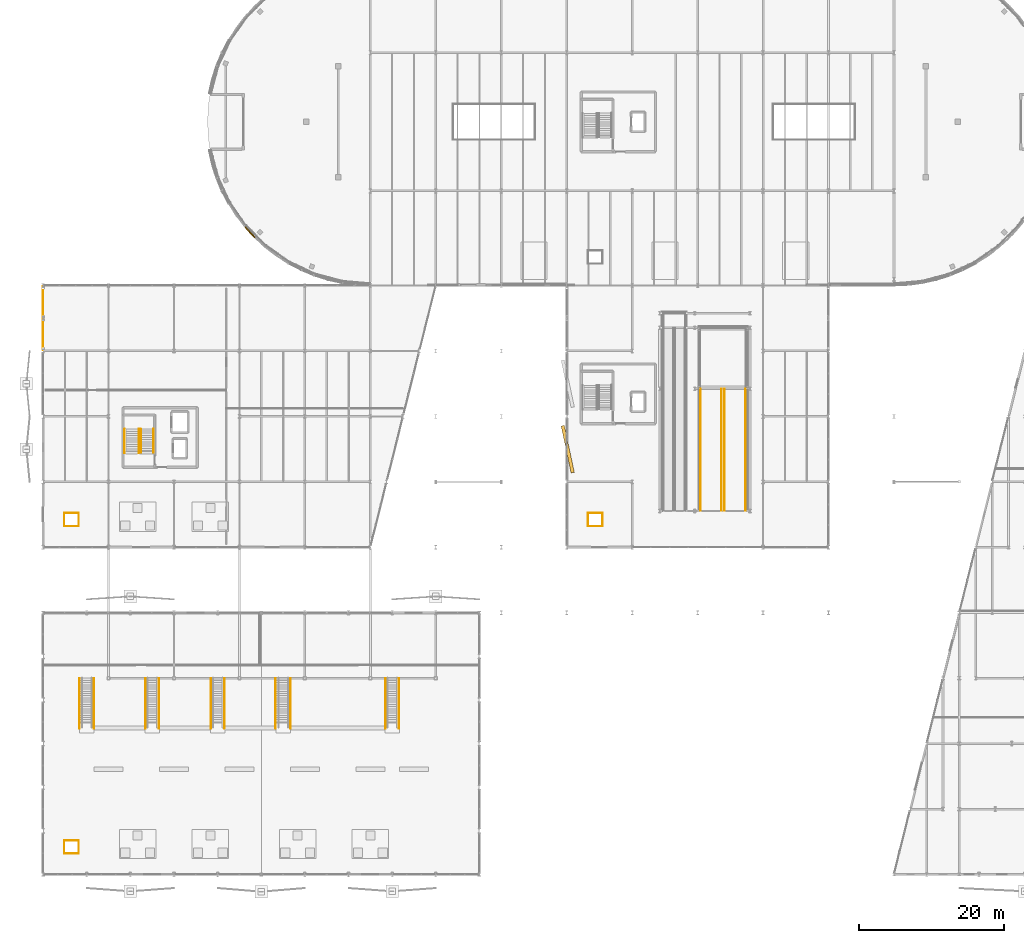
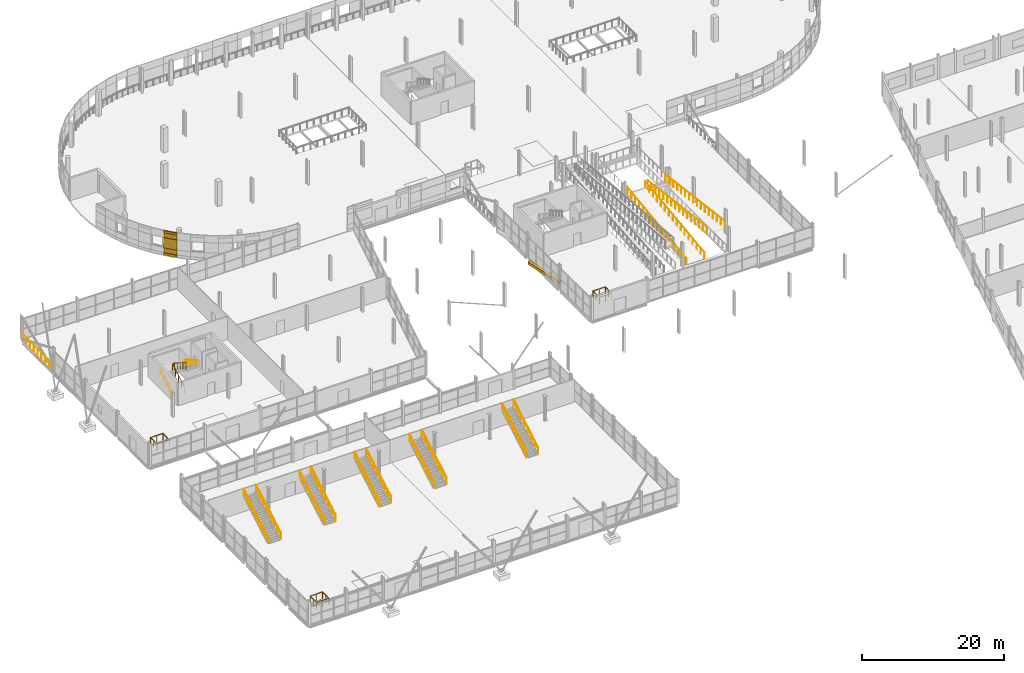
# One storey, part 127 of 140: 34 railings, 5 coverings, 1 shading device.
"""IFC4 building model written with IfcOpenShell, lengths in metres."""

from ifc_helpers import new_model, si_unit, direction, frame, origin, origin_2d, place, context, subcontext, project, spatial, rectangle, circle, extrude, material, layer, layer_set, type_object, element, save


model = new_model("IFC4")

# Units and contexts
model_context = context("Model", 3, precision=1e-05, world=origin(), true_north=direction((0.0, 1.0)))
body_context = subcontext(model_context, "Body", "Model", "MODEL_VIEW")
ifc_project = project(units=[si_unit("LENGTHUNIT", "METRE"), si_unit("AREAUNIT", "SQUARE_METRE"), si_unit("VOLUMEUNIT", "CUBIC_METRE"), si_unit("PLANEANGLEUNIT", "RADIAN"), si_unit("MASSUNIT", "GRAM", prefix="KILO")], contexts=[model_context])

# Site, building, storey
site_placement = place(None, origin())
site = spatial("IfcSite", under=ifc_project, at=site_placement, CompositionType="ELEMENT")
building_placement = place(site_placement, origin())
building = spatial("IfcBuilding", under=site, at=building_placement, Name="Deido Ridge Mobility Hub", CompositionType="ELEMENT")
storey_placement = place(building_placement, origin())
storey = spatial("IfcBuildingStorey", under=building, at=storey_placement, Name="L00", CompositionType="ELEMENT", Elevation=0.0)

# Coverings
ifc_material_1 = material(Name="Fired clay brick masonry", Category="masonry")
ifc_layer_1 = layer(ifc_material_1, 0.114990234375, Name="Fired clay brick masonry")
ifc_layer_set_1 = layer_set([ifc_layer_1], Name="Fired clay brick masonry")
covering_type = type_object("IfcCoveringType", Name="COV-BRK-SCREEN-115", PredefinedType="CLADDING", material=ifc_layer_set_1)
covering_1_placement = place(storey_placement, frame((28.4658203125, 88.34912109375, 0.0), z_axis=(0.0, 0.0, 1.0), x_axis=(0.675577339596, -0.737289127971, 0.0)))
element("IfcCovering", 1, at=covering_1_placement, inside=storey, type_object=covering_type, Name="Open brickwork spandrel course BKS1 (L00)", PredefinedType="CLADDING", context=body_context, shape_type="SweptSolid", body=[
    extrude(rectangle(XDim=1.9619140625, YDim=0.125, at=origin_2d()), origin(), (0.0, 0.0, 1.0), 1.25),
])
covering_2_placement = place(storey_placement, frame((28.4453125, 88.33056640625, 0.0), z_axis=(0.0, 0.0, 1.0), x_axis=(0.675577339596, -0.737289127971, 0.0)))
element("IfcCovering", 2, at=covering_2_placement, inside=storey, type_object=covering_type, Name="Raised brick relief belt BKS1 (L00)", PredefinedType="CLADDING", context=body_context, shape_type="SweptSolid", body=[
    extrude(rectangle(XDim=1.9619140625, YDim=0.179931640625, at=origin_2d()), origin(), (0.0, 0.0, 1.0), 0.39990234375),
])
covering_3_placement = place(storey_placement, frame((28.4658203125, 88.34912109375, 3.0), z_axis=(0.0, 0.0, 1.0), x_axis=(0.675577339596, -0.737289127971, 0.0)))
element("IfcCovering", 3, at=covering_3_placement, inside=storey, type_object=covering_type, Name="Open brickwork lintel course BKS1 (L00)", PredefinedType="CLADDING", context=body_context, shape_type="SweptSolid", body=[
    extrude(rectangle(XDim=1.9619140625, YDim=0.125, at=origin_2d()), origin(), (0.0, 0.0, 1.0), 1.199951171875),
])
covering_4_placement = place(storey_placement, frame((28.4453125, 88.33056640625, 3.83984375), z_axis=(0.0, 0.0, 1.0), x_axis=(0.675577339596, -0.737289127971, 0.0)))
element("IfcCovering", 4, at=covering_4_placement, inside=storey, type_object=covering_type, Name="Raised brick relief cornice BKS1 (L00)", PredefinedType="CLADDING", context=body_context, shape_type="SweptSolid", body=[
    extrude(rectangle(XDim=1.9619140625, YDim=0.179931640625, at=origin_2d()), origin(), (0.0, 0.0, 1.0), 0.360107421875),
])
covering_5_placement = place(storey_placement, frame((28.4453125, 88.33056640625, 1.25), z_axis=(0.0, 0.0, 1.0), x_axis=(0.675577339596, -0.737289127971, 0.0)))
element("IfcCovering", 5, at=covering_5_placement, inside=storey, type_object=covering_type, Name="Curved raised brickwork pier BKS1 (L00)", PredefinedType="CLADDING", context=body_context, shape_type="SweptSolid", body=[
    extrude(rectangle(XDim=1.9619140625, YDim=0.179931640625, at=origin_2d()), origin(), (0.0, 0.0, 1.0), 1.75),
])

# Railings
ifc_material_2 = material(Name="Galvanised steel work", Category="steel")
railing_type_1 = type_object("IfcRailingType", Name="RL-GRD-EXT-1150", PredefinedType="GUARDRAIL", material=ifc_material_2)
railing_1_placement = place(storey_placement, frame((0.0, 72.14990234375, 0.0)))
element("IfcRailing", 6, at=railing_1_placement, inside=storey, type_object=railing_type_1, Name="Braced bay perimeter guard (L00)", PredefinedType="GUARDRAIL", context=body_context, shape_type="SweptSolid", body=[
    extrude(circle(Radius=0.02392578125, at=origin_2d()), frame((0.0, 0.0, 1.1259765625), z_axis=(0.0, 1.0, 0.0), x_axis=(-1.0, 0.0, 0.0)), (0.0, 0.0, 1.0), 8.7001953125),
    extrude(circle(Radius=0.02099609375, at=origin_2d()), origin(), (0.0, 0.0, 1.0), 1.101806640625),
    extrude(circle(Radius=0.02099609375, at=origin_2d()), frame((0.0, 1.08740234375, 0.0)), (0.0, 0.0, 1.0), 1.101806640625),
    extrude(circle(Radius=0.02099609375, at=origin_2d()), frame((0.0, 2.175048828125, 0.0)), (0.0, 0.0, 1.0), 1.101806640625),
    extrude(circle(Radius=0.02099609375, at=origin_2d()), frame((0.0, 3.2626953125, 0.0)), (0.0, 0.0, 1.0), 1.101806640625),
    extrude(circle(Radius=0.02099609375, at=origin_2d()), frame((0.0, 4.35009765625, 0.0)), (0.0, 0.0, 1.0), 1.101806640625),
    extrude(circle(Radius=0.02099609375, at=origin_2d()), frame((0.0, 5.4375, 0.0)), (0.0, 0.0, 1.0), 1.101806640625),
    extrude(circle(Radius=0.02099609375, at=origin_2d()), frame((0.0, 6.525146484375, 0.0)), (0.0, 0.0, 1.0), 1.101806640625),
    extrude(circle(Radius=0.02099609375, at=origin_2d()), frame((0.0, 7.61279296875, 0.0)), (0.0, 0.0, 1.0), 1.101806640625),
    extrude(circle(Radius=0.02099609375, at=origin_2d()), frame((0.0, 8.7001953125, 0.0)), (0.0, 0.0, 1.0), 1.101806640625),
])
railing_2_placement = place(storey_placement, frame((90.39990234375, 50.050048828125, 0.0)))
element("IfcRailing", 7, at=railing_2_placement, inside=storey, type_object=railing_type_1, Name="Vehicle ramp F1 guard (L00)", PredefinedType="GUARDRAIL", context=body_context, shape_type="SweptSolid", body=[
    extrude(circle(Radius=0.02392578125, at=origin_2d()), frame((0.0, 0.0, 1.1259765625), z_axis=(0.0, 0.992231528187, 0.1244049616), x_axis=(-1.0, 0.0, 0.0)), (0.0, 0.0, 1.0), 16.881103515625),
    extrude(circle(Radius=0.02099609375, at=origin_2d()), origin(), (0.0, 0.0, 1.0), 1.101806640625),
    extrude(circle(Radius=0.02099609375, at=origin_2d()), frame((0.0, 1.11669921875, 0.139892578125)), (0.0, 0.0, 1.0), 1.101806640625),
    extrude(circle(Radius=0.02099609375, at=origin_2d()), frame((0.0, 2.2333984375, 0.280029296875)), (0.0, 0.0, 1.0), 1.101806640625),
    extrude(circle(Radius=0.02099609375, at=origin_2d()), frame((0.0, 3.35009765625, 0.419921875)), (0.0, 0.0, 1.0), 1.101806640625),
    extrude(circle(Radius=0.02099609375, at=origin_2d()), frame((0.0, 4.466552734375, 0.56005859375)), (0.0, 0.0, 1.0), 1.101806640625),
    extrude(circle(Radius=0.02099609375, at=origin_2d()), frame((0.0, 5.583251953125, 0.699951171875)), (0.0, 0.0, 1.0), 1.101806640625),
    extrude(circle(Radius=0.02099609375, at=origin_2d()), frame((0.0, 6.699951171875, 0.840087890625)), (0.0, 0.0, 1.0), 1.101806640625),
    extrude(circle(Radius=0.02099609375, at=origin_2d()), frame((0.0, 7.816650390625, 0.97998046875)), (0.0, 0.0, 1.0), 1.101806640625),
    extrude(circle(Radius=0.02099609375, at=origin_2d()), frame((0.0, 8.933349609375, 1.1201171875)), (0.0, 0.0, 1.0), 1.101806640625),
    extrude(circle(Radius=0.02099609375, at=origin_2d()), frame((0.0, 10.050048828125, 1.260009765625)), (0.0, 0.0, 1.0), 1.101806640625),
    extrude(circle(Radius=0.02099609375, at=origin_2d()), frame((0.0, 11.166748046875, 1.400146484375)), (0.0, 0.0, 1.0), 1.101806640625),
    extrude(circle(Radius=0.02099609375, at=origin_2d()), frame((0.0, 12.283447265625, 1.5400390625)), (0.0, 0.0, 1.0), 1.101806640625),
    extrude(circle(Radius=0.02099609375, at=origin_2d()), frame((0.0, 13.39990234375, 1.68017578125)), (0.0, 0.0, 1.0), 1.101806640625),
    extrude(circle(Radius=0.02099609375, at=origin_2d()), frame((0.0, 14.5166015625, 1.820068359375)), (0.0, 0.0, 1.0), 1.101806640625),
    extrude(circle(Radius=0.02099609375, at=origin_2d()), frame((0.0, 15.63330078125, 1.960205078125)), (0.0, 0.0, 1.0), 1.101806640625),
    extrude(circle(Radius=0.02099609375, at=origin_2d()), frame((0.0, 16.75, 2.10009765625)), (0.0, 0.0, 1.0), 1.101806640625),
])
railing_3_placement = place(storey_placement, frame((93.300048828125, 50.050048828125, 0.0)))
element("IfcRailing", 8, at=railing_3_placement, inside=storey, type_object=railing_type_1, Name="Vehicle ramp F1 guard (L00)", PredefinedType="GUARDRAIL", context=body_context, shape_type="SweptSolid", body=[
    extrude(circle(Radius=0.02392578125, at=origin_2d()), frame((0.0, 0.0, 1.1259765625), z_axis=(0.0, 0.992231528187, 0.1244049616), x_axis=(-1.0, 0.0, 0.0)), (0.0, 0.0, 1.0), 16.881103515625),
    extrude(circle(Radius=0.02099609375, at=origin_2d()), origin(), (0.0, 0.0, 1.0), 1.101806640625),
    extrude(circle(Radius=0.02099609375, at=origin_2d()), frame((0.0, 1.11669921875, 0.139892578125)), (0.0, 0.0, 1.0), 1.101806640625),
    extrude(circle(Radius=0.02099609375, at=origin_2d()), frame((0.0, 2.2333984375, 0.280029296875)), (0.0, 0.0, 1.0), 1.101806640625),
    extrude(circle(Radius=0.02099609375, at=origin_2d()), frame((0.0, 3.35009765625, 0.419921875)), (0.0, 0.0, 1.0), 1.101806640625),
    extrude(circle(Radius=0.02099609375, at=origin_2d()), frame((0.0, 4.466552734375, 0.56005859375)), (0.0, 0.0, 1.0), 1.101806640625),
    extrude(circle(Radius=0.02099609375, at=origin_2d()), frame((0.0, 5.583251953125, 0.699951171875)), (0.0, 0.0, 1.0), 1.101806640625),
    extrude(circle(Radius=0.02099609375, at=origin_2d()), frame((0.0, 6.699951171875, 0.840087890625)), (0.0, 0.0, 1.0), 1.101806640625),
    extrude(circle(Radius=0.02099609375, at=origin_2d()), frame((0.0, 7.816650390625, 0.97998046875)), (0.0, 0.0, 1.0), 1.101806640625),
    extrude(circle(Radius=0.02099609375, at=origin_2d()), frame((0.0, 8.933349609375, 1.1201171875)), (0.0, 0.0, 1.0), 1.101806640625),
    extrude(circle(Radius=0.02099609375, at=origin_2d()), frame((0.0, 10.050048828125, 1.260009765625)), (0.0, 0.0, 1.0), 1.101806640625),
    extrude(circle(Radius=0.02099609375, at=origin_2d()), frame((0.0, 11.166748046875, 1.400146484375)), (0.0, 0.0, 1.0), 1.101806640625),
    extrude(circle(Radius=0.02099609375, at=origin_2d()), frame((0.0, 12.283447265625, 1.5400390625)), (0.0, 0.0, 1.0), 1.101806640625),
    extrude(circle(Radius=0.02099609375, at=origin_2d()), frame((0.0, 13.39990234375, 1.68017578125)), (0.0, 0.0, 1.0), 1.101806640625),
    extrude(circle(Radius=0.02099609375, at=origin_2d()), frame((0.0, 14.5166015625, 1.820068359375)), (0.0, 0.0, 1.0), 1.101806640625),
    extrude(circle(Radius=0.02099609375, at=origin_2d()), frame((0.0, 15.63330078125, 1.960205078125)), (0.0, 0.0, 1.0), 1.101806640625),
    extrude(circle(Radius=0.02099609375, at=origin_2d()), frame((0.0, 16.75, 2.10009765625)), (0.0, 0.0, 1.0), 1.101806640625),
])
railing_4_placement = place(storey_placement, frame((93.699951171875, 66.800048828125, 2.10009765625)))
element("IfcRailing", 9, at=railing_4_placement, inside=storey, type_object=railing_type_1, Name="Vehicle ramp F2 guard (L00)", PredefinedType="GUARDRAIL", context=body_context, shape_type="SweptSolid", body=[
    extrude(circle(Radius=0.02392578125, at=origin_2d()), frame((0.0, 0.0, 1.1259765625), z_axis=(0.0, -0.992233313297, 0.12439072306), x_axis=(1.0, 0.0, 0.0)), (0.0, 0.0, 1.0), 16.881103515625),
    extrude(circle(Radius=0.02099609375, at=origin_2d()), origin(), (0.0, 0.0, 1.0), 1.101806640625),
    extrude(circle(Radius=0.02099609375, at=origin_2d()), frame((0.0, -1.11669921875, 0.139892578125)), (0.0, 0.0, 1.0), 1.101806640625),
    extrude(circle(Radius=0.02099609375, at=origin_2d()), frame((0.0, -2.2333984375, 0.280029296875)), (0.0, 0.0, 1.0), 1.101806640625),
    extrude(circle(Radius=0.02099609375, at=origin_2d()), frame((0.0, -3.35009765625, 0.419921875)), (0.0, 0.0, 1.0), 1.101806640625),
    extrude(circle(Radius=0.02099609375, at=origin_2d()), frame((0.0, -4.466552734375, 0.56005859375)), (0.0, 0.0, 1.0), 1.101806640625),
    extrude(circle(Radius=0.02099609375, at=origin_2d()), frame((0.0, -5.583251953125, 0.699951171875)), (0.0, 0.0, 1.0), 1.101806640625),
    extrude(circle(Radius=0.02099609375, at=origin_2d()), frame((0.0, -6.699951171875, 0.83984375)), (0.0, 0.0, 1.0), 1.101806640625),
    extrude(circle(Radius=0.02099609375, at=origin_2d()), frame((0.0, -7.816650390625, 0.97998046875)), (0.0, 0.0, 1.0), 1.101806640625),
    extrude(circle(Radius=0.02099609375, at=origin_2d()), frame((0.0, -8.933349609375, 1.119873046875)), (0.0, 0.0, 1.0), 1.101806640625),
    extrude(circle(Radius=0.02099609375, at=origin_2d()), frame((0.0, -10.050048828125, 1.260009765625)), (0.0, 0.0, 1.0), 1.101806640625),
    extrude(circle(Radius=0.02099609375, at=origin_2d()), frame((0.0, -11.166748046875, 1.39990234375)), (0.0, 0.0, 1.0), 1.101806640625),
    extrude(circle(Radius=0.02099609375, at=origin_2d()), frame((0.0, -12.283447265625, 1.539794921875)), (0.0, 0.0, 1.0), 1.101806640625),
    extrude(circle(Radius=0.02099609375, at=origin_2d()), frame((0.0, -13.39990234375, 1.679931640625)), (0.0, 0.0, 1.0), 1.101806640625),
    extrude(circle(Radius=0.02099609375, at=origin_2d()), frame((0.0, -14.5166015625, 1.81982421875)), (0.0, 0.0, 1.0), 1.101806640625),
    extrude(circle(Radius=0.02099609375, at=origin_2d()), frame((0.0, -15.63330078125, 1.9599609375)), (0.0, 0.0, 1.0), 1.101806640625),
    extrude(circle(Radius=0.02099609375, at=origin_2d()), frame((0.0, -16.75, 2.099853515625)), (0.0, 0.0, 1.0), 1.101806640625),
])
railing_5_placement = place(storey_placement, frame((96.60009765625, 66.800048828125, 2.10009765625)))
element("IfcRailing", 10, at=railing_5_placement, inside=storey, type_object=railing_type_1, Name="Vehicle ramp F2 guard (L00)", PredefinedType="GUARDRAIL", context=body_context, shape_type="SweptSolid", body=[
    extrude(circle(Radius=0.02392578125, at=origin_2d()), frame((0.0, 0.0, 1.1259765625), z_axis=(0.0, -0.992233313297, 0.12439072306), x_axis=(1.0, 0.0, 0.0)), (0.0, 0.0, 1.0), 16.881103515625),
    extrude(circle(Radius=0.02099609375, at=origin_2d()), origin(), (0.0, 0.0, 1.0), 1.101806640625),
    extrude(circle(Radius=0.02099609375, at=origin_2d()), frame((0.0, -1.11669921875, 0.139892578125)), (0.0, 0.0, 1.0), 1.101806640625),
    extrude(circle(Radius=0.02099609375, at=origin_2d()), frame((0.0, -2.2333984375, 0.280029296875)), (0.0, 0.0, 1.0), 1.101806640625),
    extrude(circle(Radius=0.02099609375, at=origin_2d()), frame((0.0, -3.35009765625, 0.419921875)), (0.0, 0.0, 1.0), 1.101806640625),
    extrude(circle(Radius=0.02099609375, at=origin_2d()), frame((0.0, -4.466552734375, 0.56005859375)), (0.0, 0.0, 1.0), 1.101806640625),
    extrude(circle(Radius=0.02099609375, at=origin_2d()), frame((0.0, -5.583251953125, 0.699951171875)), (0.0, 0.0, 1.0), 1.101806640625),
    extrude(circle(Radius=0.02099609375, at=origin_2d()), frame((0.0, -6.699951171875, 0.83984375)), (0.0, 0.0, 1.0), 1.101806640625),
    extrude(circle(Radius=0.02099609375, at=origin_2d()), frame((0.0, -7.816650390625, 0.97998046875)), (0.0, 0.0, 1.0), 1.101806640625),
    extrude(circle(Radius=0.02099609375, at=origin_2d()), frame((0.0, -8.933349609375, 1.119873046875)), (0.0, 0.0, 1.0), 1.101806640625),
    extrude(circle(Radius=0.02099609375, at=origin_2d()), frame((0.0, -10.050048828125, 1.260009765625)), (0.0, 0.0, 1.0), 1.101806640625),
    extrude(circle(Radius=0.02099609375, at=origin_2d()), frame((0.0, -11.166748046875, 1.39990234375)), (0.0, 0.0, 1.0), 1.101806640625),
    extrude(circle(Radius=0.02099609375, at=origin_2d()), frame((0.0, -12.283447265625, 1.539794921875)), (0.0, 0.0, 1.0), 1.101806640625),
    extrude(circle(Radius=0.02099609375, at=origin_2d()), frame((0.0, -13.39990234375, 1.679931640625)), (0.0, 0.0, 1.0), 1.101806640625),
    extrude(circle(Radius=0.02099609375, at=origin_2d()), frame((0.0, -14.5166015625, 1.81982421875)), (0.0, 0.0, 1.0), 1.101806640625),
    extrude(circle(Radius=0.02099609375, at=origin_2d()), frame((0.0, -15.63330078125, 1.9599609375)), (0.0, 0.0, 1.0), 1.101806640625),
    extrude(circle(Radius=0.02099609375, at=origin_2d()), frame((0.0, -16.75, 2.099853515625)), (0.0, 0.0, 1.0), 1.101806640625),
])
railing_6_placement = place(storey_placement, frame((2.89990234375, 2.89990234375, 0.0)))
element("IfcRailing", 11, at=railing_6_placement, inside=storey, type_object=railing_type_1, Name="Service riser shaft guard (L00) A", PredefinedType="GUARDRAIL", context=body_context, shape_type="SweptSolid", body=[
    extrude(circle(Radius=0.02392578125, at=origin_2d()), frame((0.0, 0.0, 1.1259765625), z_axis=(1.0, 0.0, 0.0), x_axis=(0.0, 1.0, 0.0)), (0.0, 0.0, 1.0), 2.0),
    extrude(circle(Radius=0.02392578125, at=origin_2d()), frame((2.0, 0.0, 1.1259765625), z_axis=(0.0, 1.0, 0.0), x_axis=(-1.0, 0.0, 0.0)), (0.0, 0.0, 1.0), 1.739990234375),
    extrude(circle(Radius=0.02099609375, at=origin_2d()), origin(), (0.0, 0.0, 1.0), 1.101806640625),
    extrude(circle(Radius=0.02099609375, at=origin_2d()), frame((1.0, 0.0, 0.0)), (0.0, 0.0, 1.0), 1.101806640625),
    extrude(circle(Radius=0.02099609375, at=origin_2d()), frame((2.0, 0.0, 0.0)), (0.0, 0.0, 1.0), 1.101806640625),
    extrude(circle(Radius=0.02099609375, at=origin_2d()), frame((2.0, 0.8701171875, 0.0)), (0.0, 0.0, 1.0), 1.101806640625),
    extrude(circle(Radius=0.02099609375, at=origin_2d()), frame((2.0, 1.739990234375, 0.0)), (0.0, 0.0, 1.0), 1.101806640625),
])
railing_7_placement = place(storey_placement, frame((4.89990234375, 4.699951171875, 0.0)))
element("IfcRailing", 12, at=railing_7_placement, inside=storey, type_object=railing_type_1, Name="Service riser shaft guard (L00) B", PredefinedType="GUARDRAIL", context=body_context, shape_type="SweptSolid", body=[
    extrude(circle(Radius=0.02392578125, at=origin_2d()), frame((0.0, 0.0, 1.1259765625), z_axis=(-1.0, 0.0, 0.0), x_axis=(0.0, -1.0, 0.0)), (0.0, 0.0, 1.0), 2.0),
    extrude(circle(Radius=0.02392578125, at=origin_2d()), frame((-2.0, 0.0, 1.1259765625), z_axis=(0.0, -1.0, 0.0), x_axis=(1.0, 0.0, 0.0)), (0.0, 0.0, 1.0), 1.739990234375),
    extrude(circle(Radius=0.02099609375, at=origin_2d()), origin(), (0.0, 0.0, 1.0), 1.101806640625),
    extrude(circle(Radius=0.02099609375, at=origin_2d()), frame((-1.0, 0.0, 0.0)), (0.0, 0.0, 1.0), 1.101806640625),
    extrude(circle(Radius=0.02099609375, at=origin_2d()), frame((-2.0, 0.0, 0.0)), (0.0, 0.0, 1.0), 1.101806640625),
    extrude(circle(Radius=0.02099609375, at=origin_2d()), frame((-2.0, -0.8701171875, 0.0)), (0.0, 0.0, 1.0), 1.101806640625),
    extrude(circle(Radius=0.02099609375, at=origin_2d()), frame((-2.0, -1.739990234375, 0.0)), (0.0, 0.0, 1.0), 1.101806640625),
])
railing_8_placement = place(storey_placement, frame((2.89990234375, 47.89990234375, 0.0)))
element("IfcRailing", 13, at=railing_8_placement, inside=storey, type_object=railing_type_1, Name="Service riser shaft guard (L00) A", PredefinedType="GUARDRAIL", context=body_context, shape_type="SweptSolid", body=[
    extrude(circle(Radius=0.02392578125, at=origin_2d()), frame((0.0, 0.0, 1.1259765625), z_axis=(1.0, 0.0, 0.0), x_axis=(0.0, 1.0, 0.0)), (0.0, 0.0, 1.0), 2.0),
    extrude(circle(Radius=0.02392578125, at=origin_2d()), frame((2.0, 0.0, 1.1259765625), z_axis=(0.0, 1.0, 0.0), x_axis=(-1.0, 0.0, 0.0)), (0.0, 0.0, 1.0), 1.739990234375),
    extrude(circle(Radius=0.02099609375, at=origin_2d()), origin(), (0.0, 0.0, 1.0), 1.101806640625),
    extrude(circle(Radius=0.02099609375, at=origin_2d()), frame((1.0, 0.0, 0.0)), (0.0, 0.0, 1.0), 1.101806640625),
    extrude(circle(Radius=0.02099609375, at=origin_2d()), frame((2.0, 0.0, 0.0)), (0.0, 0.0, 1.0), 1.101806640625),
    extrude(circle(Radius=0.02099609375, at=origin_2d()), frame((2.0, 0.8701171875, 0.0)), (0.0, 0.0, 1.0), 1.101806640625),
    extrude(circle(Radius=0.02099609375, at=origin_2d()), frame((2.0, 1.739990234375, 0.0)), (0.0, 0.0, 1.0), 1.101806640625),
])
railing_9_placement = place(storey_placement, frame((4.89990234375, 49.699951171875, 0.0)))
element("IfcRailing", 14, at=railing_9_placement, inside=storey, type_object=railing_type_1, Name="Service riser shaft guard (L00) B", PredefinedType="GUARDRAIL", context=body_context, shape_type="SweptSolid", body=[
    extrude(circle(Radius=0.02392578125, at=origin_2d()), frame((0.0, 0.0, 1.1259765625), z_axis=(-1.0, 0.0, 0.0), x_axis=(0.0, -1.0, 0.0)), (0.0, 0.0, 1.0), 2.0),
    extrude(circle(Radius=0.02392578125, at=origin_2d()), frame((-2.0, 0.0, 1.1259765625), z_axis=(0.0, -1.0, 0.0), x_axis=(1.0, 0.0, 0.0)), (0.0, 0.0, 1.0), 1.739990234375),
    extrude(circle(Radius=0.02099609375, at=origin_2d()), origin(), (0.0, 0.0, 1.0), 1.101806640625),
    extrude(circle(Radius=0.02099609375, at=origin_2d()), frame((-1.0, 0.0, 0.0)), (0.0, 0.0, 1.0), 1.101806640625),
    extrude(circle(Radius=0.02099609375, at=origin_2d()), frame((-2.0, 0.0, 0.0)), (0.0, 0.0, 1.0), 1.101806640625),
    extrude(circle(Radius=0.02099609375, at=origin_2d()), frame((-2.0, -0.8701171875, 0.0)), (0.0, 0.0, 1.0), 1.101806640625),
    extrude(circle(Radius=0.02099609375, at=origin_2d()), frame((-2.0, -1.739990234375, 0.0)), (0.0, 0.0, 1.0), 1.101806640625),
])
railing_10_placement = place(storey_placement, frame((74.925048828125, 47.89990234375, 0.0)))
element("IfcRailing", 15, at=railing_10_placement, inside=storey, type_object=railing_type_1, Name="Service riser shaft guard (L00) A", PredefinedType="GUARDRAIL", context=body_context, shape_type="SweptSolid", body=[
    extrude(circle(Radius=0.02392578125, at=origin_2d()), frame((0.0, 0.0, 1.1259765625), z_axis=(1.0, 0.0, 0.0), x_axis=(0.0, 1.0, 0.0)), (0.0, 0.0, 1.0), 2.0),
    extrude(circle(Radius=0.02392578125, at=origin_2d()), frame((2.0, 0.0, 1.1259765625), z_axis=(0.0, 1.0, 0.0), x_axis=(-1.0, 0.0, 0.0)), (0.0, 0.0, 1.0), 1.739990234375),
    extrude(circle(Radius=0.02099609375, at=origin_2d()), origin(), (0.0, 0.0, 1.0), 1.101806640625),
    extrude(circle(Radius=0.02099609375, at=origin_2d()), frame((1.0, 0.0, 0.0)), (0.0, 0.0, 1.0), 1.101806640625),
    extrude(circle(Radius=0.02099609375, at=origin_2d()), frame((2.0, 0.0, 0.0)), (0.0, 0.0, 1.0), 1.101806640625),
    extrude(circle(Radius=0.02099609375, at=origin_2d()), frame((2.0, 0.8701171875, 0.0)), (0.0, 0.0, 1.0), 1.101806640625),
    extrude(circle(Radius=0.02099609375, at=origin_2d()), frame((2.0, 1.739990234375, 0.0)), (0.0, 0.0, 1.0), 1.101806640625),
])
railing_11_placement = place(storey_placement, frame((76.925048828125, 49.699951171875, 0.0)))
element("IfcRailing", 16, at=railing_11_placement, inside=storey, type_object=railing_type_1, Name="Service riser shaft guard (L00) B", PredefinedType="GUARDRAIL", context=body_context, shape_type="SweptSolid", body=[
    extrude(circle(Radius=0.02392578125, at=origin_2d()), frame((0.0, 0.0, 1.1259765625), z_axis=(-1.0, 0.0, 0.0), x_axis=(0.0, -1.0, 0.0)), (0.0, 0.0, 1.0), 2.0),
    extrude(circle(Radius=0.02392578125, at=origin_2d()), frame((-2.0, 0.0, 1.1259765625), z_axis=(0.0, -1.0, 0.0), x_axis=(1.0, 0.0, 0.0)), (0.0, 0.0, 1.0), 1.739990234375),
    extrude(circle(Radius=0.02099609375, at=origin_2d()), origin(), (0.0, 0.0, 1.0), 1.101806640625),
    extrude(circle(Radius=0.02099609375, at=origin_2d()), frame((-1.0, 0.0, 0.0)), (0.0, 0.0, 1.0), 1.101806640625),
    extrude(circle(Radius=0.02099609375, at=origin_2d()), frame((-2.0, 0.0, 0.0)), (0.0, 0.0, 1.0), 1.101806640625),
    extrude(circle(Radius=0.02099609375, at=origin_2d()), frame((-2.0, -0.8701171875, 0.0)), (0.0, 0.0, 1.0), 1.101806640625),
    extrude(circle(Radius=0.02099609375, at=origin_2d()), frame((-2.0, -1.739990234375, 0.0)), (0.0, 0.0, 1.0), 1.101806640625),
])
railing_type_2 = type_object("IfcRailingType", Name="RL-STAIR-GRD-1150", PredefinedType="GUARDRAIL", material=ifc_material_2)
railing_12_placement = place(storey_placement, frame((13.14990234375, 57.949951171875, 0.175048828125)))
element("IfcRailing", 17, at=railing_12_placement, inside=storey, type_object=railing_type_2, Name="ST6 inner well guard (L00)", PredefinedType="GUARDRAIL", context=body_context, shape_type="SweptSolid", body=[
    extrude(circle(Radius=0.02392578125, at=origin_2d()), frame((0.0, 0.0, 1.1259765625), z_axis=(0.0, 0.863776583165, 0.503874998761), x_axis=(-1.0, 0.0, 0.0)), (0.0, 0.0, 1.0), 3.820556640625),
    extrude(circle(Radius=0.02392578125, at=origin_2d()), frame((0.0, 3.300048828125, 3.05078125), z_axis=(1.0, 0.0, 0.0), x_axis=(0.0, 1.0, 0.0)), (0.0, 0.0, 1.0), 0.300048828125),
    extrude(circle(Radius=0.02392578125, at=origin_2d()), frame((0.300048828125, 3.300048828125, 3.05078125), z_axis=(0.0, -0.839933924917, 0.542688678501), x_axis=(1.0, 0.0, 0.0)), (0.0, 0.0, 1.0), 3.869384765625),
    extrude(circle(Radius=0.02099609375, at=origin_2d()), origin(), (0.0, 0.0, 1.0), 1.101806640625),
    extrude(circle(Radius=0.02099609375, at=origin_2d()), frame((0.0, 0.824951171875, 0.481201171875)), (0.0, 0.0, 1.0), 1.101806640625),
    extrude(circle(Radius=0.02099609375, at=origin_2d()), frame((0.0, 1.64990234375, 0.96240234375)), (0.0, 0.0, 1.0), 1.101806640625),
    extrude(circle(Radius=0.02099609375, at=origin_2d()), frame((0.0, 2.47509765625, 1.44384765625)), (0.0, 0.0, 1.0), 1.101806640625),
    extrude(circle(Radius=0.02099609375, at=origin_2d()), frame((0.0, 3.300048828125, 1.925048828125)), (0.0, 0.0, 1.0), 1.101806640625),
    extrude(circle(Radius=0.02099609375, at=origin_2d()), frame((0.300048828125, 3.300048828125, 1.925048828125)), (0.0, 0.0, 1.0), 1.101806640625),
    extrude(circle(Radius=0.02099609375, at=origin_2d()), frame((0.300048828125, 2.487548828125, 2.449951171875)), (0.0, 0.0, 1.0), 1.101806640625),
    extrude(circle(Radius=0.02099609375, at=origin_2d()), frame((0.300048828125, 1.675048828125, 2.97509765625)), (0.0, 0.0, 1.0), 1.101806640625),
    extrude(circle(Radius=0.02099609375, at=origin_2d()), frame((0.300048828125, 0.862548828125, 3.5)), (0.0, 0.0, 1.0), 1.101806640625),
    extrude(circle(Radius=0.02099609375, at=origin_2d()), frame((0.300048828125, 0.050048828125, 4.02490234375)), (0.0, 0.0, 1.0), 1.101806640625),
])
for number, where, name in (
    (18, (4.97998046875, 20.10009765625, 0.175048828125), "ST7 side guard"),
    (19, (7.02001953125, 20.10009765625, 0.175048828125), "ST7 side guard"),
    (20, (14.070068359375, 20.10009765625, 0.175048828125), "ST8 side guard"),
    (21, (15.929931640625, 20.10009765625, 0.175048828125), "ST8 side guard"),
    (22, (23.070068359375, 20.10009765625, 0.175048828125), "ST9 side guard"),
    (23, (24.929931640625, 20.10009765625, 0.175048828125), "ST9 side guard"),
    (24, (31.97998046875, 20.10009765625, 0.175048828125), "ST10 side guard"),
    (25, (34.02001953125, 20.10009765625, 0.175048828125), "ST10 side guard"),
    (26, (47.070068359375, 20.10009765625, 0.175048828125), "ST11 side guard"),
    (27, (48.929931640625, 20.10009765625, 0.175048828125), "ST11 side guard"),
):
    element("IfcRailing", number, at=place(storey_placement, frame(where)), inside=storey, type_object=railing_type_2, Name=name, PredefinedType="GUARDRAIL", context=body_context, shape_type="SweptSolid", body=[
        extrude(circle(Radius=0.02392578125, at=origin_2d()), frame((0.0, 0.0, 1.1259765625), z_axis=(0.0, 0.86378111792, 0.503867224897), x_axis=(-1.0, 0.0, 0.0)), (0.0, 0.0, 1.0), 7.988037109375),
        extrude(circle(Radius=0.02099609375, at=origin_2d()), origin(), (0.0, 0.0, 1.0), 1.101806640625),
        extrude(circle(Radius=0.02099609375, at=origin_2d()), frame((0.0, 0.985595703125, 0.574951171875)), (0.0, 0.0, 1.0), 1.101806640625),
        extrude(circle(Radius=0.02099609375, at=origin_2d()), frame((0.0, 1.971435546875, 1.14990234375)), (0.0, 0.0, 1.0), 1.101806640625),
        extrude(circle(Radius=0.02099609375, at=origin_2d()), frame((0.0, 2.95703125, 1.724853515625)), (0.0, 0.0, 1.0), 1.101806640625),
        extrude(circle(Radius=0.02099609375, at=origin_2d()), frame((0.0, 3.94287109375, 2.300048828125)), (0.0, 0.0, 1.0), 1.101806640625),
        extrude(circle(Radius=0.02099609375, at=origin_2d()), frame((0.0, 4.928466796875, 2.875)), (0.0, 0.0, 1.0), 1.101806640625),
        extrude(circle(Radius=0.02099609375, at=origin_2d()), frame((0.0, 5.914306640625, 3.449951171875)), (0.0, 0.0, 1.0), 1.101806640625),
        extrude(circle(Radius=0.02099609375, at=origin_2d()), frame((0.0, 6.89990234375, 4.02490234375)), (0.0, 0.0, 1.0), 1.101806640625),
    ])
ifc_material_3 = material(Name="Stainless steel 316", Category="steel")
railing_type_3 = type_object("IfcRailingType", Name="RL-STAIR-HND-900", PredefinedType="HANDRAIL", material=ifc_material_3)
railing_13_placement = place(storey_placement, frame((11.2099609375, 57.949951171875, 0.175048828125)))
element("IfcRailing", 28, at=railing_13_placement, inside=storey, type_object=railing_type_3, Name="ST6 flight 1 handrail (L00)", PredefinedType="HANDRAIL", context=body_context, shape_type="SweptSolid", body=[
    extrude(circle(Radius=0.02392578125, at=origin_2d()), frame((0.0, 0.0, 0.8759765625), z_axis=(0.0, 0.863776583165, 0.503874998761), x_axis=(-1.0, 0.0, 0.0)), (0.0, 0.0, 1.0), 3.820556640625),
    extrude(circle(Radius=0.02099609375, at=origin_2d()), origin(), (0.0, 0.0, 1.0), 0.851806640625),
    extrude(circle(Radius=0.02099609375, at=origin_2d()), frame((0.0, 0.824951171875, 0.481201171875)), (0.0, 0.0, 1.0), 0.851806640625),
    extrude(circle(Radius=0.02099609375, at=origin_2d()), frame((0.0, 1.64990234375, 0.96240234375)), (0.0, 0.0, 1.0), 0.851806640625),
    extrude(circle(Radius=0.02099609375, at=origin_2d()), frame((0.0, 2.47509765625, 1.44384765625)), (0.0, 0.0, 1.0), 0.851806640625),
    extrude(circle(Radius=0.02099609375, at=origin_2d()), frame((0.0, 3.300048828125, 1.925048828125)), (0.0, 0.0, 1.0), 0.851806640625),
])
railing_14_placement = place(storey_placement, frame((15.175048828125, 61.300048828125, 2.27490234375)))
element("IfcRailing", 29, at=railing_14_placement, inside=storey, type_object=railing_type_3, Name="ST6 flight 2 handrail (L00)", PredefinedType="HANDRAIL", context=body_context, shape_type="SweptSolid", body=[
    extrude(circle(Radius=0.02392578125, at=origin_2d()), frame((0.0, 0.0, 0.8759765625), z_axis=(0.0, -0.863776583165, 0.503874998761), x_axis=(1.0, 0.0, 0.0)), (0.0, 0.0, 1.0), 3.820556640625),
    extrude(circle(Radius=0.02099609375, at=origin_2d()), origin(), (0.0, 0.0, 1.0), 0.851806640625),
    extrude(circle(Radius=0.02099609375, at=origin_2d()), frame((0.0, -0.824951171875, 0.481201171875)), (0.0, 0.0, 1.0), 0.851806640625),
    extrude(circle(Radius=0.02099609375, at=origin_2d()), frame((0.0, -1.64990234375, 0.96240234375)), (0.0, 0.0, 1.0), 0.851806640625),
    extrude(circle(Radius=0.02099609375, at=origin_2d()), frame((0.0, -2.47509765625, 1.44384765625)), (0.0, 0.0, 1.0), 0.851806640625),
    extrude(circle(Radius=0.02099609375, at=origin_2d()), frame((0.0, -3.300048828125, 1.925048828125)), (0.0, 0.0, 1.0), 0.851806640625),
])
for number, where, name in (
    (30, (5.0, 20.10009765625, 0.175048828125), "ST7 pitch handrail"),
    (31, (7.0, 20.10009765625, 0.175048828125), "ST7 pitch handrail"),
    (32, (14.090087890625, 20.10009765625, 0.175048828125), "ST8 pitch handrail"),
    (33, (15.909912109375, 20.10009765625, 0.175048828125), "ST8 pitch handrail"),
    (34, (23.090087890625, 20.10009765625, 0.175048828125), "ST9 pitch handrail"),
    (35, (24.909912109375, 20.10009765625, 0.175048828125), "ST9 pitch handrail"),
    (36, (32.0, 20.10009765625, 0.175048828125), "ST10 pitch handrail"),
    (37, (34.0, 20.10009765625, 0.175048828125), "ST10 pitch handrail"),
    (38, (47.090087890625, 20.10009765625, 0.175048828125), "ST11 pitch handrail"),
    (39, (48.909912109375, 20.10009765625, 0.175048828125), "ST11 pitch handrail"),
):
    element("IfcRailing", number, at=place(storey_placement, frame(where)), inside=storey, type_object=railing_type_3, Name=name, PredefinedType="HANDRAIL", context=body_context, shape_type="SweptSolid", body=[
        extrude(circle(Radius=0.02392578125, at=origin_2d()), frame((0.0, 0.0, 0.8759765625), z_axis=(0.0, 0.86378111792, 0.503867224897), x_axis=(-1.0, 0.0, 0.0)), (0.0, 0.0, 1.0), 7.988037109375),
        extrude(circle(Radius=0.02099609375, at=origin_2d()), origin(), (0.0, 0.0, 1.0), 0.851806640625),
        extrude(circle(Radius=0.02099609375, at=origin_2d()), frame((0.0, 0.985595703125, 0.574951171875)), (0.0, 0.0, 1.0), 0.851806640625),
        extrude(circle(Radius=0.02099609375, at=origin_2d()), frame((0.0, 1.971435546875, 1.14990234375)), (0.0, 0.0, 1.0), 0.851806640625),
        extrude(circle(Radius=0.02099609375, at=origin_2d()), frame((0.0, 2.95703125, 1.724853515625)), (0.0, 0.0, 1.0), 0.851806640625),
        extrude(circle(Radius=0.02099609375, at=origin_2d()), frame((0.0, 3.94287109375, 2.300048828125)), (0.0, 0.0, 1.0), 0.851806640625),
        extrude(circle(Radius=0.02099609375, at=origin_2d()), frame((0.0, 4.928466796875, 2.875)), (0.0, 0.0, 1.0), 0.851806640625),
        extrude(circle(Radius=0.02099609375, at=origin_2d()), frame((0.0, 5.914306640625, 3.449951171875)), (0.0, 0.0, 1.0), 0.851806640625),
        extrude(circle(Radius=0.02099609375, at=origin_2d()), frame((0.0, 6.89990234375, 4.02490234375)), (0.0, 0.0, 1.0), 0.851806640625),
    ])

# Shading device
ifc_material_4 = material(Name="Anodised aluminium EN AW-6063 T6", Category="aluminium")
ifc_layer_2 = layer(ifc_material_4, 0.4599609375, Name="Anodised aluminium EN AW-6063 T6")
ifc_layer_set_2 = layer_set([ifc_layer_2], Name="Anodised aluminium EN AW-6063 T6")
shading_device_type = type_object("IfcShadingDeviceType", Name="SHD-LOUVRE-450", PredefinedType="USERDEFINED", material=ifc_layer_set_2)
shading_device_placement = place(storey_placement, frame((72.139892578125, 58.5, -0.280029296875), z_axis=(0.0, 0.0, 1.0), x_axis=(-0.207911690818, 0.978147600734, 0.0)))
element("IfcShadingDevice", 40, at=shading_device_placement, inside=storey, type_object=shading_device_type, Name="Ramp gallery monsoon louvre SD3", ObjectType="LOUVRE", PredefinedType="USERDEFINED", context=body_context, shape_type="SweptSolid", body=[
    extrude(rectangle(XDim=6.60009765625, YDim=0.449951171875, at=origin_2d()), origin(), (0.0, 0.0, 1.0), 0.4599609375),
])

save(model, "model.ifc")
